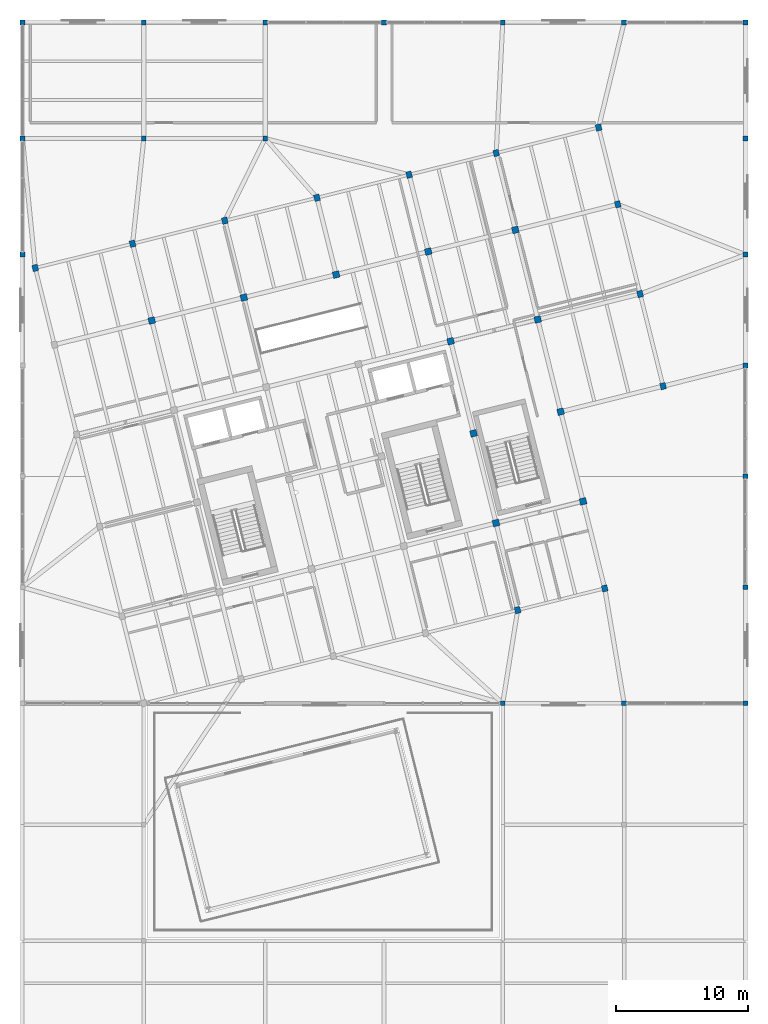
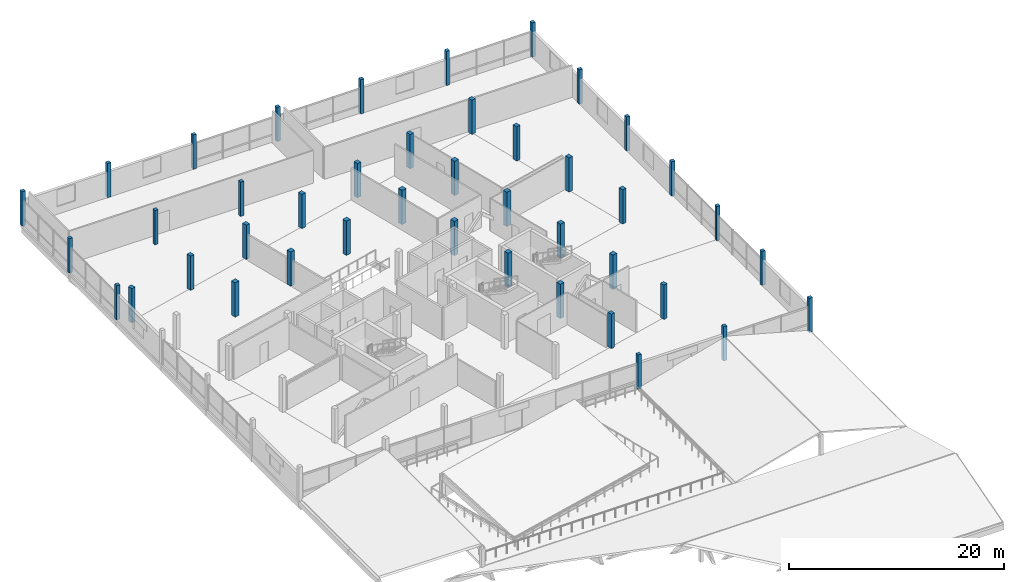
# One storey, part 4 of 39: 42 columns.
"""IFC4 building model written with IfcOpenShell, lengths in metres."""

from ifc_helpers import new_model, si_unit, direction, frame, origin, origin_2d, place, context, subcontext, project, spatial, rectangle, extrude, material, material_profile, profile_set, type_object, element, save


model = new_model("IFC4")

# Units and contexts
model_context = context("Model", 3, precision=1e-05, world=origin(), true_north=direction((0.0, 1.0)))
body_context = subcontext(model_context, "Body", "Model", "MODEL_VIEW")
ifc_project = project(units=[si_unit("LENGTHUNIT", "METRE"), si_unit("AREAUNIT", "SQUARE_METRE"), si_unit("VOLUMEUNIT", "CUBIC_METRE"), si_unit("PLANEANGLEUNIT", "RADIAN"), si_unit("MASSUNIT", "GRAM", prefix="KILO")], contexts=[model_context])

# Site, building, storey
site_placement = place(None, origin())
site = spatial("IfcSite", under=ifc_project, at=site_placement, CompositionType="ELEMENT")
building_placement = place(site_placement, origin())
building = spatial("IfcBuilding", under=site, at=building_placement, Name="Meriwether Solvik Hall", CompositionType="ELEMENT")
storey_placement = place(building_placement, frame((0.0, 0.0, 22.199951171875)))
storey = spatial("IfcBuildingStorey", under=building, at=storey_placement, Name="L05", CompositionType="ELEMENT", Elevation=22.199951171875)

# Columns
ifc_material_1 = material(Name="Glulam Douglas-Fir L2 GL28c", Category="wood")
ifc_material_profile_1 = material_profile(ifc_material_1, rectangle(XDim=0.364990234375, YDim=0.364990234375, at=origin_2d()), Name="GLC-365X365")
ifc_profile_set_1 = profile_set([ifc_material_profile_1], Name="Glulam Douglas-Fir L2 GL28c")
column_type_1 = type_object("IfcColumnType", Name="COL-GL-365X365", PredefinedType="COLUMN", material=ifc_profile_set_1)
for number, where, z_axis, x_axis, name in (
    (1, (59.39990234375, 75.199951171875, 0.0), (0.0, 0.0, 1.0), (1.0, 0.0, 0.0), "Podium Column 7/I (L05)"),
    (2, (59.39990234375, 84.0, 0.0), (0.0, 0.0, 1.0), (1.0, 0.0, 0.0), "Podium Column 7/J (L05)"),
    (3, (59.39990234375, 92.800048828125, 0.0), (0.0, 0.0, 1.0), (1.0, 0.0, 0.0), "Podium Column 7/K (L05)"),
    (4, (68.60009765625, 84.0, 0.0), (0.0, 0.0, 1.0), (1.0, 0.0, 0.0), "Podium Column 8/J (L05)"),
    (5, (68.60009765625, 92.800048828125, 0.0), (0.0, 0.0, 1.0), (1.0, 0.0, 0.0), "Podium Column 8/K (L05)"),
    (6, (77.800048828125, 84.0, 0.0), (0.0, 0.0, 1.0), (1.0, 0.0, 0.0), "Podium Column 9/J (L05)"),
    (7, (77.800048828125, 92.800048828125, 0.0), (0.0, 0.0, 1.0), (1.0, 0.0, 0.0), "Podium Column 9/K (L05)"),
    (8, (86.800048828125, 92.800048828125, 0.0), (0.0, 0.0, 1.0), (1.0, 0.0, 0.0), "Podium Column 10/K (L05)"),
    (9, (95.800048828125, 41.199951171875, 0.0), (0.0, 0.0, 1.0), (1.0, 0.0, 0.0), "Podium Column 11/E (L05)"),
    (10, (95.800048828125, 92.800048828125, 0.0), (0.0, 0.0, 1.0), (1.0, 0.0, 0.0), "Podium Column 11/K (L05)"),
    (11, (105.0, 41.199951171875, 0.0), (0.0, 0.0, 1.0), (1.0, 0.0, 0.0), "Podium Column 12/E (L05)"),
    (12, (105.0, 92.800048828125, 0.0), (0.0, 0.0, 1.0), (1.0, 0.0, 0.0), "Podium Column 12/K (L05)"),
    (13, (114.199951171875, 41.199951171875, 0.0), (0.0, 0.0, 1.0), (1.0, 0.0, 0.0), "Podium Column 13/E (L05)"),
    (14, (114.199951171875, 50.0, 0.0), (0.0, 0.0, 1.0), (1.0, 0.0, 0.0), "Podium Column 13/F (L05)"),
    (15, (114.199951171875, 58.39990234375, 0.0), (0.0, 0.0, 1.0), (1.0, 0.0, 0.0), "Podium Column 13/G (L05)"),
    (16, (114.199951171875, 66.800048828125, 0.0), (0.0, 0.0, 1.0), (1.0, 0.0, 0.0), "Podium Column 13/H (L05)"),
    (17, (114.199951171875, 75.199951171875, 0.0), (0.0, 0.0, 1.0), (1.0, 0.0, 0.0), "Podium Column 13/I (L05)"),
    (18, (114.199951171875, 84.0, 0.0), (0.0, 0.0, 1.0), (1.0, 0.0, 0.0), "Podium Column 13/J (L05)"),
    (19, (114.199951171875, 92.800048828125, 0.0), (0.0, 0.0, 1.0), (1.0, 0.0, 0.0), "Podium Column 13/K (L05)"),
):
    element("IfcColumn", number, at=place(storey_placement, frame(where, z_axis=z_axis, x_axis=x_axis)), inside=storey, type_object=column_type_1, Name=name, PredefinedType="COLUMN", context=body_context, shape_type="SweptSolid", body=[
        extrude(rectangle(XDim=0.364990234375, YDim=0.364990234375, at=origin_2d()), origin(), (0.0, 0.0, 1.0), 3.900146484375),
    ])
ifc_material_2 = material(Name="Glulam Douglas-Fir L2 GL28c", Category="wood")
ifc_material_profile_2 = material_profile(ifc_material_2, rectangle(XDim=0.419921875, YDim=0.4951171875, at=origin_2d()), Name="GLC-420X495")
ifc_profile_set_2 = profile_set([ifc_material_profile_2], Name="Glulam Douglas-Fir L2 GL28c")
column_type_2 = type_object("IfcColumnType", Name="COL-GL-420X495", PredefinedType="COLUMN", material=ifc_profile_set_2)
for number, where, z_axis, x_axis, name in (
    (20, (60.374755859375, 74.18994140625, 0.0), (0.0, 0.0, 1.0), (0.970295726276, 0.2419218956, 0.0), "Tower Column T1/TF (L05)"),
    (21, (67.7490234375, 76.028564453125, 0.0), (0.0, 0.0, 1.0), (0.970295726276, 0.2419218956, 0.0), "Tower Column T2/TF (L05)"),
    (22, (74.735107421875, 77.7705078125, 0.0), (0.0, 0.0, 1.0), (0.970295726276, 0.2419218956, 0.0), "Tower Column T3/TF (L05)"),
    (23, (81.72119140625, 79.512451171875, 0.0), (0.0, 0.0, 1.0), (0.970295726276, 0.2419218956, 0.0), "Tower Column T4/TF (L05)"),
    (24, (96.9326171875, 48.26416015625, 0.0), (0.0, 0.0, 1.0), (0.970295726276, 0.2419218956, 0.0), "Tower Column T5/TA (L05)"),
    (25, (88.707275390625, 81.254150390625, 0.0), (0.0, 0.0, 1.0), (0.970295726276, 0.2419218956, 0.0), "Tower Column T5/TF (L05)"),
    (26, (103.53076171875, 49.9091796875, 0.0), (0.0, 0.0, 1.0), (0.970295726276, 0.2419218956, 0.0), "Tower Column T6/TA (L05)"),
    (27, (95.305419921875, 82.899169921875, 0.0), (0.0, 0.0, 1.0), (0.970295726276, 0.2419218956, 0.0), "Tower Column T6/TF (L05)"),
    (28, (107.95458984375, 65.234619140625, 0.0), (0.0, 0.0, 1.0), (0.970295726276, 0.2419218956, 0.0), "Tower Column T7/TC (L05)"),
    (29, (106.212646484375, 72.220703125, 0.0), (0.0, 0.0, 1.0), (0.970295726276, 0.2419218956, 0.0), "Tower Column T7/TD (L05)"),
    (30, (104.519287109375, 79.012939453125, 0.0), (0.0, 0.0, 1.0), (0.970295726276, 0.2419218956, 0.0), "Tower Column T7/TE (L05)"),
    (31, (103.067626953125, 84.834716796875, 0.0), (0.0, 0.0, 1.0), (0.970295726276, 0.2419218956, 0.0), "Tower Column T7/TF (L05)"),
):
    element("IfcColumn", number, at=place(storey_placement, frame(where, z_axis=z_axis, x_axis=x_axis)), inside=storey, type_object=column_type_2, Name=name, PredefinedType="COLUMN", context=body_context, shape_type="SweptSolid", body=[
        extrude(rectangle(XDim=0.419921875, YDim=0.4951171875, at=origin_2d()), origin(), (0.0, 0.0, 1.0), 3.900146484375),
    ])
ifc_material_3 = material(Name="Glulam Douglas-Fir L2 GL28c", Category="wood")
ifc_material_profile_3 = material_profile(ifc_material_3, rectangle(XDim=0.4951171875, YDim=0.4951171875, at=origin_2d()), Name="GLC-495X495")
ifc_profile_set_3 = profile_set([ifc_material_profile_3], Name="Glulam Douglas-Fir L2 GL28c")
column_type_3 = type_object("IfcColumnType", Name="COL-GL-495X495", PredefinedType="COLUMN", material=ifc_profile_set_3)
for number, where, z_axis, x_axis, name in (
    (32, (69.200439453125, 70.206787109375, 0.0), (0.0, 0.0, 1.0), (0.970295726276, 0.2419218956, 0.0), "Tower Column T2/TE (L05)"),
    (33, (76.1865234375, 71.94873046875, 0.0), (0.0, 0.0, 1.0), (0.970295726276, 0.2419218956, 0.0), "Tower Column T3/TE (L05)"),
    (34, (83.172607421875, 73.690673828125, 0.0), (0.0, 0.0, 1.0), (0.970295726276, 0.2419218956, 0.0), "Tower Column T4/TE (L05)"),
    (35, (95.28759765625, 54.862060546875, 0.0), (0.0, 0.0, 1.0), (0.970295726276, 0.2419218956, 0.0), "Tower Column T5/TB (L05)"),
    (36, (93.593994140625, 61.654296875, 0.0), (0.0, 0.0, 1.0), (0.970295726276, 0.2419218956, 0.0), "Tower Column T5/TC (L05)"),
    (37, (91.852294921875, 68.640380859375, 0.0), (0.0, 0.0, 1.0), (0.970295726276, 0.2419218956, 0.0), "Tower Column T5/TD (L05)"),
    (38, (90.158935546875, 75.432373046875, 0.0), (0.0, 0.0, 1.0), (0.970295726276, 0.2419218956, 0.0), "Tower Column T5/TE (L05)"),
    (39, (101.885498046875, 56.507080078125, 0.0), (0.0, 0.0, 1.0), (0.970295726276, 0.2419218956, 0.0), "Tower Column T6/TB (L05)"),
    (40, (100.192138671875, 63.29931640625, 0.0), (0.0, 0.0, 1.0), (0.970295726276, 0.2419218956, 0.0), "Tower Column T6/TC (L05)"),
    (41, (98.4501953125, 70.285400390625, 0.0), (0.0, 0.0, 1.0), (0.970295726276, 0.2419218956, 0.0), "Tower Column T6/TD (L05)"),
    (42, (96.7568359375, 77.077392578125, 0.0), (0.0, 0.0, 1.0), (0.970295726276, 0.2419218956, 0.0), "Tower Column T6/TE (L05)"),
):
    element("IfcColumn", number, at=place(storey_placement, frame(where, z_axis=z_axis, x_axis=x_axis)), inside=storey, type_object=column_type_3, Name=name, PredefinedType="COLUMN", context=body_context, shape_type="SweptSolid", body=[
        extrude(rectangle(XDim=0.4951171875, YDim=0.4951171875, at=origin_2d()), origin(), (0.0, 0.0, 1.0), 3.900146484375),
    ])

save(model, "model.ifc")
